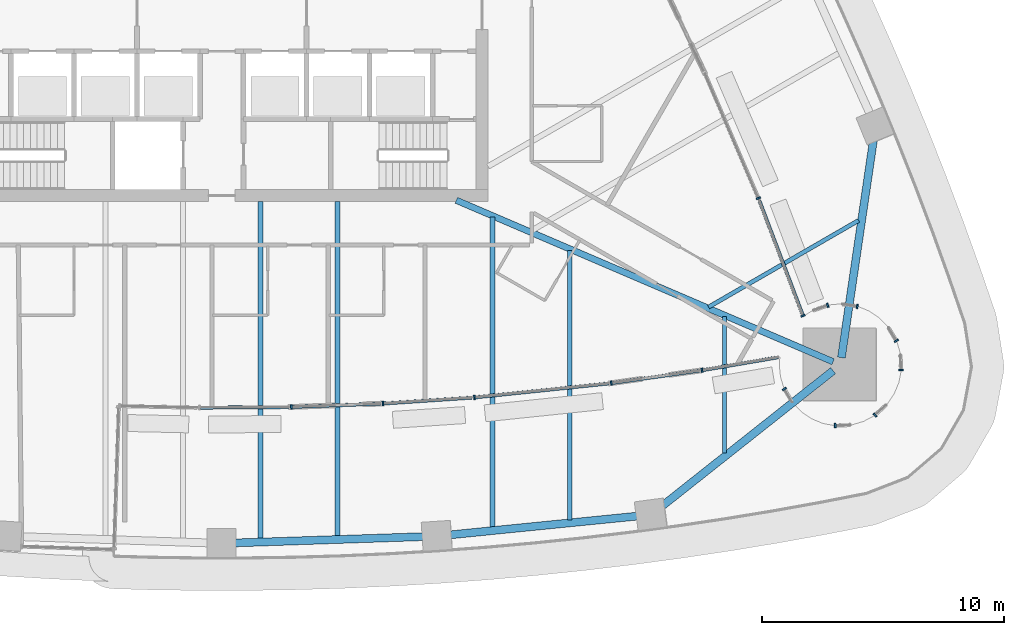
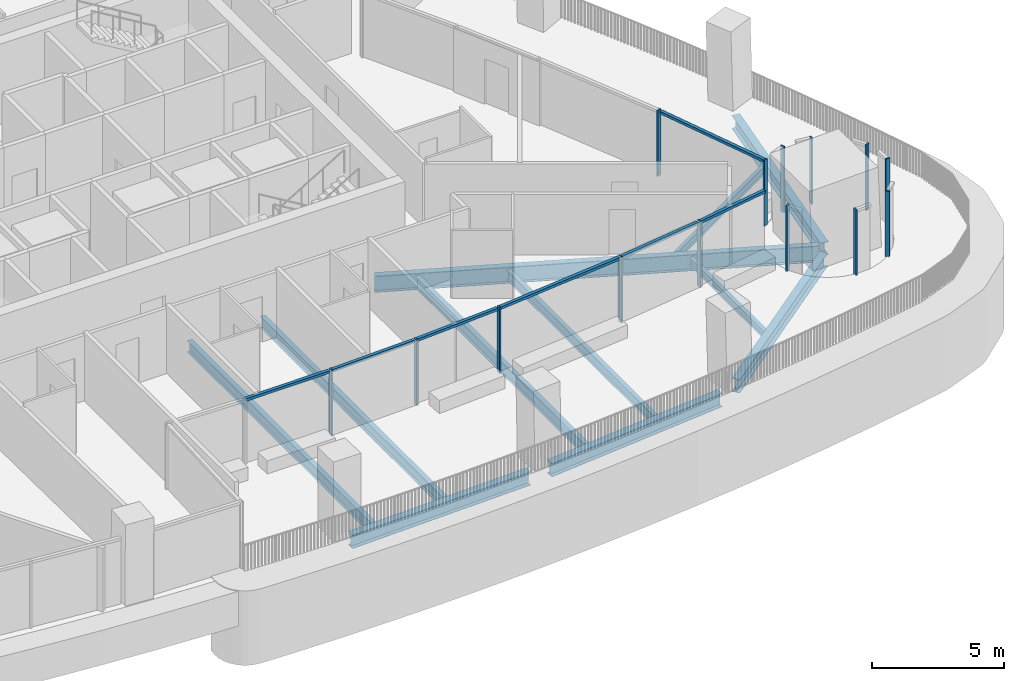
# One storey, part 4 of 22: 21 members, 11 beams, 15 elements without a shape of their own.
"""IFC4 building model written with IfcOpenShell, lengths in metres."""

import ifcopenshell
import ifcopenshell.guid

model = None  # the IFC model being written
_history = None  # IfcOwnerHistory: only IFC2X3 demands one
_inside = {}  # id of a spatial element -> (the spatial element, [elements in it])
_under = {}  # id of a project, library or spatial element -> (it, [spatial elements below it])
_declared = {}  # id of a project -> (the project, [libraries it declares])
_typed = {}  # id of a type object -> (the type object, [elements of that type])
_made_of = {}  # id of a material, layer set ... -> (it, [elements and type objects made of it])


def new_model(schema):
    """Start an empty IFC model of exactly this schema.

    Asked for "IFC4X3", IfcOpenShell would pick the latest addendum, in which some entities
    have other attributes; the version numbers below select the first issue.
    IFC2X3 requires an IfcOwnerHistory on every rooted entity: one is made here for all.
    """
    global model, _history
    if schema == "IFC4X3":
        model = ifcopenshell.file(schema_version=(4, 3, 0, 0))
    else:
        model = ifcopenshell.file(schema=schema)
    _inside.clear()
    _under.clear()
    _declared.clear()
    _typed.clear()
    _made_of.clear()
    _history = None
    if model.schema == "IFC2X3":
        org = make("IfcOrganization", Name="unknown")
        user = make(
            "IfcPersonAndOrganization",
            ThePerson=make("IfcPerson", FamilyName="unknown"),
            TheOrganization=org,
        )
        app = make(
            "IfcApplication",
            ApplicationDeveloper=org,
            Version="unknown",
            ApplicationFullName="unknown",
            ApplicationIdentifier="unknown",
        )
        _history = make(
            "IfcOwnerHistory",
            OwningUser=user,
            OwningApplication=app,
            ChangeAction="ADDED",
            CreationDate=0,
        )
    return model


def make(cls, **values):
    """One entity of the class cls with the attributes given. An attribute that is None is left unset."""
    return model.create_entity(
        cls, **{name: value for name, value in values.items() if value is not None}
    )


def rooted(cls, **values):
    """An entity with a GlobalId (a new one), such as an element, a storey or a relation."""
    return make(cls, GlobalId=ifcopenshell.guid.new(), OwnerHistory=_history, **values)


def si_unit(unit_type, name, prefix=None):
    """IfcSIUnit, for example si_unit("LENGTHUNIT", "METRE", prefix="MILLI")."""
    return make("IfcSIUnit", UnitType=unit_type, Prefix=prefix, Name=name)


def assignment(units):
    """IfcUnitAssignment: the units of a project."""
    return None if units is None else make("IfcUnitAssignment", Units=units)


def point(xyz):
    """IfcCartesianPoint."""
    return None if xyz is None else make("IfcCartesianPoint", Coordinates=xyz)


def direction(xyz):
    """IfcDirection."""
    return None if xyz is None else make("IfcDirection", DirectionRatios=xyz)


def frame(location, z_axis=None, x_axis=None):
    """IfcAxis2Placement3D, a coordinate frame: its origin and axes. An axis left out is left unset."""
    return make(
        "IfcAxis2Placement3D",
        Location=point(location),
        Axis=direction(z_axis),
        RefDirection=direction(x_axis),
    )


def frame_2d(location, x_axis=None):
    """IfcAxis2Placement2D, a coordinate frame in the plane: its origin and x axis."""
    return make(
        "IfcAxis2Placement2D", Location=point(location), RefDirection=direction(x_axis)
    )


def origin():
    """The frame at (0, 0, 0) with its axes left unset."""
    return frame((0.0, 0.0, 0.0))


def origin_2d():
    """The frame at (0, 0) in the plane with its x axis left unset."""
    return frame_2d((0.0, 0.0))


def place(relative_to, where):
    """IfcLocalPlacement: puts the frame where relative to a parent placement (None: the world)."""
    return make(
        "IfcLocalPlacement", PlacementRelTo=relative_to, RelativePlacement=where
    )


def context(
    kind, dimensions, precision=None, world=None, true_north=None, identifier=None
):
    """IfcGeometricRepresentationContext, for example the 3D "Model" context."""
    return make(
        "IfcGeometricRepresentationContext",
        ContextIdentifier=identifier,
        ContextType=kind,
        CoordinateSpaceDimension=dimensions,
        Precision=precision,
        WorldCoordinateSystem=world,
        TrueNorth=true_north,
    )


def subcontext(parent, identifier, kind, view, scale=None):
    """IfcGeometricRepresentationSubContext, for example "Body" below "Model"."""
    return make(
        "IfcGeometricRepresentationSubContext",
        ContextIdentifier=identifier,
        ContextType=kind,
        ParentContext=parent,
        TargetScale=scale,
        TargetView=view,
    )


def project(units=None, contexts=None):
    """IfcProject with its units and contexts."""
    return rooted(
        "IfcProject",
        Name="project",
        RepresentationContexts=contexts,
        UnitsInContext=assignment(units),
    )


def spatial(cls, under=None, at=None, **own):
    """A site, building, storey or space (cls), placed at a placement, below another one or the project."""
    s = rooted(cls, ObjectPlacement=at, **own)
    if under is not None:
        _under.setdefault(under.id(), (under, []))[1].append(s)
    return s


def profile(cls, at=None, kind="AREA", **sizes):
    """A parametric profile (cls). Its sizes go by their IFC names, for example OverallWidth=200.0."""
    return make(cls, ProfileType=kind, Position=at, **sizes)


def rectangle(**sizes):
    """IfcRectangleProfileDef."""
    return profile("IfcRectangleProfileDef", **sizes)


def i_section(**sizes):
    """IfcIShapeProfileDef."""
    return profile("IfcIShapeProfileDef", **sizes)


def extrude(swept, where, along, depth):
    """IfcExtrudedAreaSolid: the profile swept, set in the frame where, extruded along a direction by depth."""
    return make(
        "IfcExtrudedAreaSolid",
        SweptArea=swept,
        Position=where,
        ExtrudedDirection=direction(along),
        Depth=depth,
    )


def shape(context_of_items, identifier, shape_type, items):
    """IfcShapeRepresentation: the items that make up one representation, for example the "Body"."""
    return make(
        "IfcShapeRepresentation",
        ContextOfItems=context_of_items,
        RepresentationIdentifier=identifier,
        RepresentationType=shape_type,
        Items=items,
    )


def material(Name=None, Category=None):
    """IfcMaterial."""
    return make("IfcMaterial", Name=Name, Category=Category)


def layer(
    of_material, thickness, ventilated=None, Name=None, Category=None, Priority=None
):
    """IfcMaterialLayer: one layer of a wall or slab, of a material (None: an air gap)."""
    return make(
        "IfcMaterialLayer",
        Material=of_material,
        LayerThickness=thickness,
        IsVentilated=ventilated,
        Name=Name,
        Category=Category,
        Priority=Priority,
    )


def layer_set(layers, Name=None):
    """IfcMaterialLayerSet."""
    return make("IfcMaterialLayerSet", MaterialLayers=layers, LayerSetName=Name)


def material_profile(
    of_material, cross_section, Name=None, Category=None, Priority=None
):
    """IfcMaterialProfile: a cross section and its material."""
    return make(
        "IfcMaterialProfile",
        Name=Name,
        Material=of_material,
        Profile=cross_section,
        Priority=Priority,
        Category=Category,
    )


def profile_set(profiles, Name=None, composite=None):
    """IfcMaterialProfileSet."""
    return make(
        "IfcMaterialProfileSet",
        Name=Name,
        MaterialProfiles=profiles,
        CompositeProfile=composite,
    )


def made_of(thing, what):
    """Note that an element or type object is made of a material, layer set ...; save() writes the relation."""
    if what is not None:
        _made_of.setdefault(what.id(), (what, []))[1].append(thing)
    return thing


def type_object(cls, material=None, **own):
    """A type object (cls), such as IfcWallType, which elements share."""
    return made_of(rooted(cls, **own), material)


def element(
    cls,
    number,
    at=None,
    inside=None,
    cuts=None,
    type_object=None,
    material=None,
    context=None,
    identifier="Body",
    shape_type=None,
    held_by="IfcProductDefinitionShape",
    body=None,
    shapes=None,
    **own,
):
    """One element of the class cls, such as IfcWall. Its Tag is "e" and its number.

    at: its placement. inside: the storey or other place that contains it. cuts: it is an
    opening in that element (IfcRelVoidsElement). A single representation is given by context,
    identifier, shape_type and body (its items); several are given by shapes. held_by: the class
    of the entity that holds the representations. save() writes the other relations.
    """
    e = rooted(cls, Tag="e%d" % number, ObjectPlacement=at, **own)
    if body is not None:
        shapes = [shape(context, identifier, shape_type, body)]
    if shapes is not None:
        e.Representation = make(held_by, Representations=shapes)
    if inside is not None:
        _inside.setdefault(inside.id(), (inside, []))[1].append(e)
    if cuts is not None:
        rooted(
            "IfcRelVoidsElement", RelatingBuildingElement=cuts, RelatedOpeningElement=e
        )
    if type_object is not None:
        _typed.setdefault(type_object.id(), (type_object, []))[1].append(e)
    return made_of(e, material)


def aggregate(whole, parts):
    """IfcRelAggregates: a whole, such as a stair, and the parts it consists of."""
    return rooted("IfcRelAggregates", RelatingObject=whole, RelatedObjects=parts)


def save(model, path):
    """Write the relations noted so far, then the file.

    IfcRelAggregates (storeys below a building ...), IfcRelContainedInSpatialStructure (elements
    in a storey), IfcRelDefinesByType, IfcRelAssociatesMaterial and IfcRelDeclares: one each for
    every whole, place, type object, material and project.
    """
    for whole, parts in _under.values():
        aggregate(whole, parts)
    for where, things in _inside.values():
        rooted(
            "IfcRelContainedInSpatialStructure",
            RelatedElements=things,
            RelatingStructure=where,
        )
    for kind, things in _typed.values():
        rooted("IfcRelDefinesByType", RelatedObjects=things, RelatingType=kind)
    for what, things in _made_of.values():
        rooted("IfcRelAssociatesMaterial", RelatedObjects=things, RelatingMaterial=what)
    for by, libraries in _declared.values():
        rooted("IfcRelDeclares", RelatingContext=by, RelatedDefinitions=libraries)
    model.write(path)


model = new_model("IFC4")

# Units and contexts
model_context = context("Model", 3, precision=1e-05, world=origin(), true_north=direction((0.0, 1.0)))
body_context = subcontext(model_context, "Body", "Model", "MODEL_VIEW")
ifc_project = project(units=[si_unit("LENGTHUNIT", "METRE"), si_unit("AREAUNIT", "SQUARE_METRE"), si_unit("VOLUMEUNIT", "CUBIC_METRE"), si_unit("PLANEANGLEUNIT", "RADIAN"), si_unit("MASSUNIT", "GRAM", prefix="KILO")], contexts=[model_context])

# Site, building, storey
site_placement = place(None, origin())
site = spatial("IfcSite", under=ifc_project, at=site_placement, CompositionType="ELEMENT")
building_placement = place(site_placement, origin())
building = spatial("IfcBuilding", under=site, at=building_placement, Name="Sierra Prisma Convention Tower", CompositionType="ELEMENT")
storey_placement = place(building_placement, frame((0.0, 0.0, 103.5)))
storey = spatial("IfcBuildingStorey", under=building, at=storey_placement, Name="L22", CompositionType="ELEMENT", Elevation=103.5)

# Curtain wall, member
ifc_material_1 = material(Name="Aluminium and glass curtain wall", Category="aluminium")
ifc_layer = layer(ifc_material_1, 0.179931640625)
ifc_layer_set = layer_set([ifc_layer], Name="CW-6 Terrace recess curtain wall")
curtain_wall_type = type_object("IfcCurtainWallType", Name="CW-6 Terrace recess curtain wall", PredefinedType="NOTDEFINED", material=ifc_layer_set)
curtain_wall_1_placement = place(storey_placement, origin())
curtain_wall_1 = element("IfcCurtainWall", 1, at=curtain_wall_1_placement, inside=storey, type_object=curtain_wall_type, Name="CW-6 R3 L22", PredefinedType="NOTDEFINED")
ifc_material_2 = material(Name="Aluminium 6063-T6 bronze anodised", Category="aluminium")
ifc_material_profile_1 = material_profile(ifc_material_2, rectangle(XDim=0.179931640625, YDim=0.070068359375, at=origin_2d()), Name="ALU MULLION 70x180")
ifc_profile_set_1 = profile_set([ifc_material_profile_1], Name="Aluminium 6063-T6 bronze anodised")
member_type_1 = type_object("IfcMemberType", Name="CW mullion bronze", PredefinedType="MULLION", material=ifc_profile_set_1)
member_1_placement = place(storey_placement, frame((2.87451171875, -16.485595703125, 0.0), z_axis=(0.0, 0.0, 1.0), x_axis=(-0.037013409097, 0.999314769003, 0.0)))
member_1 = element("IfcMember", 2, at=member_1_placement, type_object=member_type_1, Name="CW-6 mullion R3.1", PredefinedType="MULLION", context=body_context, shape_type="SweptSolid", body=[
    extrude(rectangle(XDim=0.179931640625, YDim=0.070068359375, at=origin_2d()), origin(), (0.0, 0.0, 1.0), 3.0400390625),
])

curtain_wall_2_placement = place(storey_placement, origin())
curtain_wall_2 = element("IfcCurtainWall", 3, at=curtain_wall_2_placement, inside=storey, type_object=curtain_wall_type, Name="CW-6 R4 L22", PredefinedType="NOTDEFINED")
member_2_placement = place(storey_placement, frame((6.658447265625, -16.344482421875, 0.0), z_axis=(0.0, 0.0, 1.0), x_axis=(-0.066590047072, 0.997780419547, 0.0)))
member_2 = element("IfcMember", 4, at=member_2_placement, type_object=member_type_1, Name="CW-6 mullion R4.1", PredefinedType="MULLION", context=body_context, shape_type="SweptSolid", body=[
    extrude(rectangle(XDim=0.179931640625, YDim=0.070068359375, at=origin_2d()), origin(), (0.0, 0.0, 1.0), 3.0400390625),
])

curtain_wall_3_placement = place(storey_placement, origin())
curtain_wall_3 = element("IfcCurtainWall", 5, at=curtain_wall_3_placement, inside=storey, type_object=curtain_wall_type, Name="CW-6 R5 L22", PredefinedType="NOTDEFINED")
member_3_placement = place(storey_placement, frame((10.436279296875, -16.091064453125, 0.0), z_axis=(0.0, 0.0, 1.0), x_axis=(-0.103475672365, 0.994631984821, 0.0)))
member_3 = element("IfcMember", 6, at=member_3_placement, type_object=member_type_1, Name="CW-6 mullion R5.1", PredefinedType="MULLION", context=body_context, shape_type="SweptSolid", body=[
    extrude(rectangle(XDim=0.179931640625, YDim=0.070068359375, at=origin_2d()), origin(), (0.0, 0.0, 1.0), 3.0400390625),
])

curtain_wall_4_placement = place(storey_placement, origin())
curtain_wall_4 = element("IfcCurtainWall", 7, at=curtain_wall_4_placement, inside=storey, type_object=curtain_wall_type, Name="CW-6 R6 L22", PredefinedType="NOTDEFINED")
member_4_placement = place(storey_placement, frame((16.0849609375, -15.501953125, 0.0), z_axis=(0.0, 0.0, 1.0), x_axis=(-0.140219488164, 0.990120444764, 0.0)))
member_4 = element("IfcMember", 8, at=member_4_placement, type_object=member_type_1, Name="CW-6 mullion R6.1", PredefinedType="MULLION", context=body_context, shape_type="SweptSolid", body=[
    extrude(rectangle(XDim=0.179931640625, YDim=0.070068359375, at=origin_2d()), origin(), (0.0, 0.0, 1.0), 3.0400390625),
])

curtain_wall_5_placement = place(storey_placement, origin())
curtain_wall_5 = element("IfcCurtainWall", 9, at=curtain_wall_5_placement, inside=storey, type_object=curtain_wall_type, Name="CW-6 R7 L22", PredefinedType="NOTDEFINED")
member_5_placement = place(storey_placement, frame((19.833740234375, -14.97021484375, 0.0), z_axis=(0.0, 0.0, 1.0), x_axis=(-0.168396182613, 0.985719395001, 0.0)))
member_5 = element("IfcMember", 10, at=member_5_placement, type_object=member_type_1, Name="CW-6 mullion R7.1", PredefinedType="MULLION", context=body_context, shape_type="SweptSolid", body=[
    extrude(rectangle(XDim=0.179931640625, YDim=0.070068359375, at=origin_2d()), origin(), (0.0, 0.0, 1.0), 3.0400390625),
])

curtain_wall_6_placement = place(storey_placement, origin())
curtain_wall_6 = element("IfcCurtainWall", 11, at=curtain_wall_6_placement, inside=storey, type_object=curtain_wall_type, Name="CW-6 R11 L22", PredefinedType="NOTDEFINED")
member_6_placement = place(storey_placement, frame((23.235107421875, -15.744140625, 0.0), z_axis=(0.0, 0.0, 1.0), x_axis=(0.85772861, 0.514102744193, 0.0)))
member_6 = element("IfcMember", 12, at=member_6_placement, type_object=member_type_1, Name="CW-6 mullion R11.1", PredefinedType="MULLION", context=body_context, shape_type="SweptSolid", body=[
    extrude(rectangle(XDim=0.179931640625, YDim=0.070068359375, at=origin_2d()), origin(), (0.0, 0.0, 1.0), 3.0400390625),
])
aggregate(curtain_wall_6, [member_6])

curtain_wall_7_placement = place(storey_placement, origin())
curtain_wall_7 = element("IfcCurtainWall", 13, at=curtain_wall_7_placement, inside=storey, type_object=curtain_wall_type, Name="CW-6 R16 L22", PredefinedType="NOTDEFINED")
member_7_placement = place(storey_placement, frame((25.334228515625, -17.2568359375, 0.0), z_axis=(0.0, 0.0, 1.0), x_axis=(-0.049067674327, 0.998795456205, 0.0)))
member_7 = element("IfcMember", 14, at=member_7_placement, type_object=member_type_1, Name="CW-6 mullion R16.1", PredefinedType="MULLION", context=body_context, shape_type="SweptSolid", body=[
    extrude(rectangle(XDim=0.179931640625, YDim=0.070068359375, at=origin_2d()), origin(), (0.0, 0.0, 1.0), 3.0400390625),
])
aggregate(curtain_wall_7, [member_7])

curtain_wall_8_placement = place(storey_placement, origin())
curtain_wall_8 = element("IfcCurtainWall", 15, at=curtain_wall_8_placement, inside=storey, type_object=curtain_wall_type, Name="CW-6 R19 L22", PredefinedType="NOTDEFINED")
member_8_placement = place(storey_placement, frame((26.97314453125, -16.822265625, 0.0), z_axis=(0.0, 0.0, 1.0), x_axis=(-0.671558954847, 0.740951125355, 0.0)))
member_8 = element("IfcMember", 16, at=member_8_placement, type_object=member_type_1, Name="CW-6 mullion R19.1", PredefinedType="MULLION", context=body_context, shape_type="SweptSolid", body=[
    extrude(rectangle(XDim=0.179931640625, YDim=0.070068359375, at=origin_2d()), origin(), (0.0, 0.0, 1.0), 3.0400390625),
])
aggregate(curtain_wall_8, [member_8])

curtain_wall_9_placement = place(storey_placement, origin())
curtain_wall_9 = element("IfcCurtainWall", 17, at=curtain_wall_9_placement, inside=storey, type_object=curtain_wall_type, Name="CW-6 R23 L22", PredefinedType="NOTDEFINED")
member_9_placement = place(storey_placement, frame((28.053955078125, -14.96142578125, 0.0), z_axis=(0.0, 0.0, 1.0), x_axis=(-0.998795456205, -0.049067674327, 0.0)))
member_9 = element("IfcMember", 18, at=member_9_placement, type_object=member_type_1, Name="CW-6 mullion R23.1", PredefinedType="MULLION", context=body_context, shape_type="SweptSolid", body=[
    extrude(rectangle(XDim=0.179931640625, YDim=0.070068359375, at=origin_2d()), origin(), (0.0, 0.0, 1.0), 3.0400390625),
])
aggregate(curtain_wall_9, [member_9])

curtain_wall_10_placement = place(storey_placement, origin())
curtain_wall_10 = element("IfcCurtainWall", 19, at=curtain_wall_10_placement, inside=storey, type_object=curtain_wall_type, Name="CW-6 R25 L22", PredefinedType="NOTDEFINED")
member_10_placement = place(storey_placement, frame((27.85791015625, -13.75439453125, 0.0), z_axis=(0.0, 0.0, 1.0), x_axis=(-0.85772861, -0.514102744193, 0.0)))
member_10 = element("IfcMember", 20, at=member_10_placement, type_object=member_type_1, Name="CW-6 mullion R25.1", PredefinedType="MULLION", context=body_context, shape_type="SweptSolid", body=[
    extrude(rectangle(XDim=0.179931640625, YDim=0.070068359375, at=origin_2d()), origin(), (0.0, 0.0, 1.0), 3.0400390625),
])
aggregate(curtain_wall_10, [member_10])

curtain_wall_11_placement = place(storey_placement, origin())
curtain_wall_11 = element("IfcCurtainWall", 21, at=curtain_wall_11_placement, inside=storey, type_object=curtain_wall_type, Name="CW-6 R29 L22", PredefinedType="NOTDEFINED")
member_11_placement = place(storey_placement, frame((26.243896484375, -12.331298828125, 0.0), z_axis=(0.0, 0.0, 1.0), x_axis=(-0.146730474455, -0.989176509965, 0.0)))
member_11 = element("IfcMember", 22, at=member_11_placement, type_object=member_type_1, Name="CW-6 mullion R29.1", PredefinedType="MULLION", context=body_context, shape_type="SweptSolid", body=[
    extrude(rectangle(XDim=0.179931640625, YDim=0.070068359375, at=origin_2d()), origin(), (0.0, 0.0, 1.0), 3.0400390625),
])
aggregate(curtain_wall_11, [member_11])

curtain_wall_12_placement = place(storey_placement, origin())
curtain_wall_12 = element("IfcCurtainWall", 23, at=curtain_wall_12_placement, inside=storey, type_object=curtain_wall_type, Name="CW-6 R31 L22", PredefinedType="NOTDEFINED")
member_12_placement = place(storey_placement, frame((25.021728515625, -12.2880859375, 0.0), z_axis=(0.0, 0.0, 1.0), x_axis=(0.336889853392, -0.941544065183, 0.0)))
member_12 = element("IfcMember", 24, at=member_12_placement, type_object=member_type_1, Name="CW-6 mullion R31.1", PredefinedType="MULLION", context=body_context, shape_type="SweptSolid", body=[
    extrude(rectangle(XDim=0.179931640625, YDim=0.070068359375, at=origin_2d()), origin(), (0.0, 0.0, 1.0), 3.0400390625),
])
aggregate(curtain_wall_12, [member_12])

curtain_wall_13_placement = place(storey_placement, origin())
curtain_wall_13 = element("IfcCurtainWall", 25, at=curtain_wall_13_placement, inside=storey, type_object=curtain_wall_type, Name="CW-6 R33 L22", PredefinedType="NOTDEFINED")
member_13_placement = place(storey_placement, frame((24.0009765625, -12.71826171875, 0.0), z_axis=(0.0, 0.0, 1.0), x_axis=(-0.935155748602, -0.354236821711, 0.0)))
member_13 = element("IfcMember", 26, at=member_13_placement, type_object=member_type_1, Name="CW-6 mullion R33.1", PredefinedType="MULLION", context=body_context, shape_type="SweptSolid", body=[
    extrude(rectangle(XDim=0.179931640625, YDim=0.070068359375, at=origin_2d()), origin(), (0.0, 0.0, 1.0), 3.0400390625),
])

curtain_wall_14_placement = place(storey_placement, origin())
curtain_wall_14 = element("IfcCurtainWall", 27, at=curtain_wall_14_placement, inside=storey, type_object=curtain_wall_type, Name="CW-6 R34 L22", PredefinedType="NOTDEFINED")
member_14_placement = place(storey_placement, frame((22.1611328125, -7.864990234375, 0.0), z_axis=(0.0, 0.0, 1.0), x_axis=(-0.919051637753, -0.394137142557, 0.0)))
member_14 = element("IfcMember", 28, at=member_14_placement, type_object=member_type_1, Name="CW-6 mullion R34.1", PredefinedType="MULLION", context=body_context, shape_type="SweptSolid", body=[
    extrude(rectangle(XDim=0.179931640625, YDim=0.070068359375, at=origin_2d()), origin(), (0.0, 0.0, 1.0), 3.0400390625),
])
aggregate(curtain_wall_14, [member_14])

curtain_wall_15_placement = place(storey_placement, origin())
curtain_wall_15 = element("IfcCurtainWall", 29, at=curtain_wall_15_placement, inside=storey, type_object=curtain_wall_type, Name="CW-6 R2 L22", PredefinedType="NOTDEFINED")
ifc_material_3 = material(Name="Aluminium 6063-T6 bronze anodised", Category="aluminium")
ifc_material_profile_2 = material_profile(ifc_material_3, rectangle(XDim=0.139892578125, YDim=0.1201171875, at=origin_2d()), Name="ALU TRANSOM 120x140")
ifc_profile_set_2 = profile_set([ifc_material_profile_2], Name="Aluminium 6063-T6 bronze anodised")
member_type_2 = type_object("IfcMemberType", Name="CW transom bronze", PredefinedType="USERDEFINED", material=ifc_profile_set_2)
member_15_placement = place(storey_placement, frame((-0.876708984375, -16.514404296875, 2.97998046875), z_axis=(0.999972382299, 0.007432000967, 0.0), x_axis=(-0.007432000967, 0.999972382299, 0.0)))
member_15 = element("IfcMember", 30, at=member_15_placement, type_object=member_type_2, Name="CW-6 transom R2.1", ObjectType="TRANSOM", PredefinedType="USERDEFINED", context=body_context, shape_type="SweptSolid", body=[
    extrude(rectangle(XDim=0.139892578125, YDim=0.1201171875, at=origin_2d()), origin(), (0.0, 0.0, 1.0), 3.646240234375),
])
aggregate(curtain_wall_15, [member_15])

# Member
member_16_placement = place(storey_placement, frame((2.90966796875, -16.484375, 2.97998046875), z_axis=(0.999314283335, 0.037026519175, 0.0), x_axis=(-0.037026519175, 0.999314283335, 0.0)))
member_16 = element("IfcMember", 31, at=member_16_placement, type_object=member_type_2, Name="CW-6 transom R3.1", ObjectType="TRANSOM", PredefinedType="USERDEFINED", context=body_context, shape_type="SweptSolid", body=[
    extrude(rectangle(XDim=0.139892578125, YDim=0.1201171875, at=origin_2d()), origin(), (0.0, 0.0, 1.0), 3.646240234375),
])

aggregate(curtain_wall_1, [member_1, member_16])

member_17_placement = place(storey_placement, frame((6.693359375, -16.342041015625, 2.97998046875), z_axis=(0.997778338515, 0.06662122177, 0.0), x_axis=(-0.06662122177, 0.997778338515, 0.0)))
member_17 = element("IfcMember", 32, at=member_17_placement, type_object=member_type_2, Name="CW-6 transom R4.1", ObjectType="TRANSOM", PredefinedType="USERDEFINED", context=body_context, shape_type="SweptSolid", body=[
    extrude(rectangle(XDim=0.139892578125, YDim=0.1201171875, at=origin_2d()), origin(), (0.0, 0.0, 1.0), 3.646240234375),
])

aggregate(curtain_wall_2, [member_2, member_17])

member_18_placement = place(storey_placement, frame((10.470947265625, -16.08740234375, 2.97998046875), z_axis=(0.994630797154, 0.103487087859, 0.0), x_axis=(-0.103487087859, 0.994630797154, 0.0)))
member_18 = element("IfcMember", 33, at=member_18_placement, type_object=member_type_2, Name="CW-6 transom R5.1", ObjectType="TRANSOM", PredefinedType="USERDEFINED", context=body_context, shape_type="SweptSolid", body=[
    extrude(rectangle(XDim=0.139892578125, YDim=0.1201171875, at=origin_2d()), origin(), (0.0, 0.0, 1.0), 5.539306640625),
])

aggregate(curtain_wall_3, [member_3, member_18])

member_19_placement = place(storey_placement, frame((16.11962890625, -15.4970703125, 2.97998046875), z_axis=(0.990121509067, 0.140211972678, 0.0), x_axis=(-0.140211972678, 0.990121509067, 0.0)))
member_19 = element("IfcMember", 34, at=member_19_placement, type_object=member_type_2, Name="CW-6 transom R6.1", ObjectType="TRANSOM", PredefinedType="USERDEFINED", context=body_context, shape_type="SweptSolid", body=[
    extrude(rectangle(XDim=0.139892578125, YDim=0.1201171875, at=origin_2d()), origin(), (0.0, 0.0, 1.0), 3.646240234375),
])

aggregate(curtain_wall_4, [member_4, member_19])

member_20_placement = place(storey_placement, frame((19.8681640625, -14.964111328125, 2.97998046875), z_axis=(0.985729854431, 0.168334946117, 0.0), x_axis=(-0.168334946117, 0.985729854431, 0.0)))
member_20 = element("IfcMember", 35, at=member_20_placement, type_object=member_type_2, Name="CW-6 transom R7.1", ObjectType="TRANSOM", PredefinedType="USERDEFINED", context=body_context, shape_type="SweptSolid", body=[
    extrude(rectangle(XDim=0.139892578125, YDim=0.1201171875, at=origin_2d()), origin(), (0.0, 0.0, 1.0), 3.157470703125),
])

aggregate(curtain_wall_5, [member_5, member_20])

member_21_placement = place(storey_placement, frame((23.988525390625, -12.685546875, 2.97998046875), z_axis=(-0.354199519051, 0.935169877992, 0.0), x_axis=(-0.935169877992, -0.354199519051, 0.0)))
member_21 = element("IfcMember", 36, at=member_21_placement, type_object=member_type_2, Name="CW-6 transom R33.1", ObjectType="TRANSOM", PredefinedType="USERDEFINED", context=body_context, shape_type="SweptSolid", body=[
    extrude(rectangle(XDim=0.139892578125, YDim=0.1201171875, at=origin_2d()), origin(), (0.0, 0.0, 1.0), 5.05029296875),
])

aggregate(curtain_wall_13, [member_13, member_21])

# Beams
ifc_material_4 = material(Name="Steel ASTM A992 Gr 50", Category="steel")
ifc_material_profile_3 = material_profile(ifc_material_4, i_section(OverallWidth=0.172119140625, OverallDepth=0.35791015625, WebThickness=0.0078125, FlangeThickness=0.01318359375, at=origin_2d()), Name="W360x57")
ifc_profile_set_3 = profile_set([ifc_material_profile_3], Name="Steel ASTM A992 Gr 50")
beam_type_1 = type_object("IfcBeamType", Name="Floor joist W360x57", PredefinedType="JOIST", material=ifc_profile_set_3)
beam_1_placement = place(storey_placement, frame((20.756591796875, -18.38427734375, -0.47900390625), z_axis=(0.0, 1.0, 0.0), x_axis=(-1.0, 0.0, 0.0)))
element("IfcBeam", 37, at=beam_1_placement, inside=storey, type_object=beam_type_1, Name="Floor joist L22 S15", PredefinedType="JOIST", context=body_context, shape_type="SweptSolid", body=[
    extrude(i_section(OverallWidth=0.172119140625, OverallDepth=0.35791015625, WebThickness=0.0078125, FlangeThickness=0.01318359375, at=origin_2d()), origin(), (0.0, 0.0, 1.0), 5.63037109375),
])
beam_2_placement = place(storey_placement, frame((26.299560546875, -8.78369140625, -0.47900390625), z_axis=(-0.86603096638, -0.499990365178, 0.0), x_axis=(0.499990365178, -0.86603096638, 0.0)))
element("IfcBeam", 38, at=beam_2_placement, inside=storey, type_object=beam_type_1, Name="Floor joist L22 NE02", PredefinedType="JOIST", context=body_context, shape_type="SweptSolid", body=[
    extrude(i_section(OverallWidth=0.172119140625, OverallDepth=0.35791015625, WebThickness=0.0078125, FlangeThickness=0.01318359375, at=origin_2d()), origin(), (0.0, 0.0, 1.0), 7.152099609375),
])
ifc_material_5 = material(Name="Steel ASTM A992 Gr 50", Category="steel")
ifc_material_profile_4 = material_profile(ifc_material_5, i_section(OverallWidth=0.18994140625, OverallDepth=0.45703125, WebThickness=0.009033203125, FlangeThickness=0.014404296875, at=origin_2d()), Name="W460x74")
ifc_profile_set_4 = profile_set([ifc_material_profile_4], Name="Steel ASTM A992 Gr 50")
beam_type_2 = type_object("IfcBeamType", Name="Floor joist W460x74", PredefinedType="JOIST", material=ifc_profile_set_4)
beam_3_placement = place(storey_placement, frame((14.369873046875, -21.1591796875, -0.528564453125), z_axis=(0.0, 1.0, 0.0), x_axis=(-1.0, 0.0, 0.0)))
element("IfcBeam", 39, at=beam_3_placement, inside=storey, type_object=beam_type_2, Name="Floor joist L22 S13", PredefinedType="JOIST", context=body_context, shape_type="SweptSolid", body=[
    extrude(i_section(OverallWidth=0.18994140625, OverallDepth=0.45703125, WebThickness=0.009033203125, FlangeThickness=0.014404296875, at=origin_2d()), origin(), (0.0, 0.0, 1.0), 11.142822265625),
])
ifc_material_6 = material(Name="Steel ASTM A992 Gr 50", Category="steel")
ifc_material_profile_5 = material_profile(ifc_material_6, i_section(OverallWidth=0.208984375, OverallDepth=0.532958984375, WebThickness=0.01025390625, FlangeThickness=0.015625, at=origin_2d()), Name="W530x92")
ifc_profile_set_5 = profile_set([ifc_material_profile_5], Name="Steel ASTM A992 Gr 50")
beam_type_3 = type_object("IfcBeamType", Name="Floor joist W530x92", PredefinedType="JOIST", material=ifc_profile_set_5)
beam_4_placement = place(storey_placement, frame((1.5966796875, -21.952880859375, -0.56640625), z_axis=(0.0, 1.0, 0.0), x_axis=(-1.0, 0.0, 0.0)))
element("IfcBeam", 40, at=beam_4_placement, inside=storey, type_object=beam_type_3, Name="Floor joist L22 S09", PredefinedType="JOIST", context=body_context, shape_type="SweptSolid", body=[
    extrude(i_section(OverallWidth=0.208984375, OverallDepth=0.532958984375, WebThickness=0.01025390625, FlangeThickness=0.015625, at=origin_2d()), origin(), (0.0, 0.0, 1.0), 13.952880859375),
])
beam_5_placement = place(storey_placement, frame((4.7900390625, -21.846435546875, -0.56640625), z_axis=(0.0, 1.0, 0.0), x_axis=(-1.0, 0.0, 0.0)))
element("IfcBeam", 41, at=beam_5_placement, inside=storey, type_object=beam_type_3, Name="Floor joist L22 S10", PredefinedType="JOIST", context=body_context, shape_type="SweptSolid", body=[
    extrude(i_section(OverallWidth=0.208984375, OverallDepth=0.532958984375, WebThickness=0.01025390625, FlangeThickness=0.015625, at=origin_2d()), origin(), (0.0, 0.0, 1.0), 13.846435546875),
])
beam_6_placement = place(storey_placement, frame((11.176513671875, -21.4794921875, -0.56640625), z_axis=(0.0, 1.0, 0.0), x_axis=(-1.0, 0.0, 0.0)))
element("IfcBeam", 42, at=beam_6_placement, inside=storey, type_object=beam_type_3, Name="Floor joist L22 S12", PredefinedType="JOIST", context=body_context, shape_type="SweptSolid", body=[
    extrude(i_section(OverallWidth=0.208984375, OverallDepth=0.532958984375, WebThickness=0.01025390625, FlangeThickness=0.015625, at=origin_2d()), origin(), (0.0, 0.0, 1.0), 12.831787109375),
])
ifc_material_7 = material(Name="Steel ASTM A992 Gr 50", Category="steel")
ifc_material_profile_6 = material_profile(ifc_material_7, i_section(OverallWidth=0.264892578125, OverallDepth=0.7529296875, WebThickness=0.01318359375, FlangeThickness=0.01708984375, at=origin_2d()), Name="W760x147")
ifc_profile_set_6 = profile_set([ifc_material_profile_6], Name="Steel ASTM A992 Gr 50")
beam_type_4 = type_object("IfcBeamType", Name="Radial girder W760x147", PredefinedType="BEAM", material=ifc_profile_set_6)
beam_7_placement = place(storey_placement, frame((25.24658203125, -14.62060546875, -0.526611328125), z_axis=(-0.919129361542, 0.393955856349, 0.0), x_axis=(-0.393955856349, -0.919129361542, 0.0)))
element("IfcBeam", 43, at=beam_7_placement, inside=storey, type_object=beam_type_4, Name="Radial girder L22 SE", PredefinedType="BEAM", context=body_context, shape_type="SweptSolid", body=[
    extrude(i_section(OverallWidth=0.264892578125, OverallDepth=0.7529296875, WebThickness=0.01318359375, FlangeThickness=0.01708984375, at=origin_2d()), origin(), (0.0, 0.0, 1.0), 16.92578125),
])
ifc_material_8 = material(Name="Steel ASTM A992 Gr 50", Category="steel")
ifc_material_profile_7 = material_profile(ifc_material_8, i_section(OverallWidth=0.324951171875, OverallDepth=0.615966796875, WebThickness=0.013916015625, FlangeThickness=0.021484375, at=origin_2d()), Name="W610x174")
ifc_profile_set_7 = profile_set([ifc_material_profile_7], Name="Steel ASTM A992 Gr 50")
beam_type_5 = type_object("IfcBeamType", Name="Spandrel beam W610x174", PredefinedType="BEAM", material=ifc_profile_set_7)
beam_8_placement = place(storey_placement, frame((0.47998046875, -22.1025390625, -0.60791015625), z_axis=(0.999445111962, 0.033308680193, 0.0), x_axis=(-0.033308680193, 0.999445111962, 0.0)))
element("IfcBeam", 44, at=beam_8_placement, inside=storey, type_object=beam_type_5, Name="Spandrel L22-04", PredefinedType="BEAM", context=body_context, shape_type="SweptSolid", body=[
    extrude(i_section(OverallWidth=0.324951171875, OverallDepth=0.615966796875, WebThickness=0.013916015625, FlangeThickness=0.021484375, at=origin_2d()), origin(), (0.0, 0.0, 1.0), 7.9306640625),
])
beam_9_placement = place(storey_placement, frame((9.3642578125, -21.7744140625, -0.60791015625), z_axis=(0.995010025636, 0.099774991278, 0.0), x_axis=(-0.099774991278, 0.995010025636, 0.0)))
element("IfcBeam", 45, at=beam_9_placement, inside=storey, type_object=beam_type_5, Name="Spandrel L22-05", PredefinedType="BEAM", context=body_context, shape_type="SweptSolid", body=[
    extrude(i_section(OverallWidth=0.324951171875, OverallDepth=0.615966796875, WebThickness=0.013916015625, FlangeThickness=0.021484375, at=origin_2d()), origin(), (0.0, 0.0, 1.0), 7.930419921875),
])
beam_10_placement = place(storey_placement, frame((18.186279296875, -20.576416015625, -0.60791015625), z_axis=(0.784035379073, 0.620716138313, 0.0), x_axis=(-0.620716138313, 0.784035379073, 0.0)))
element("IfcBeam", 46, at=beam_10_placement, inside=storey, type_object=beam_type_5, Name="Spandrel L22-06", PredefinedType="BEAM", context=body_context, shape_type="SweptSolid", body=[
    extrude(i_section(OverallWidth=0.324951171875, OverallDepth=0.615966796875, WebThickness=0.013916015625, FlangeThickness=0.021484375, at=origin_2d()), origin(), (0.0, 0.0, 1.0), 9.005126953125),
])
beam_11_placement = place(storey_placement, frame((25.590576171875, -14.44921875, -0.60791015625), z_axis=(0.145555113254, 0.989350144795, 0.0), x_axis=(-0.989350144795, 0.145555113254, 0.0)))
element("IfcBeam", 47, at=beam_11_placement, inside=storey, type_object=beam_type_5, Name="Spandrel L22-07", PredefinedType="BEAM", context=body_context, shape_type="SweptSolid", body=[
    extrude(i_section(OverallWidth=0.324951171875, OverallDepth=0.615966796875, WebThickness=0.013916015625, FlangeThickness=0.021484375, at=origin_2d()), origin(), (0.0, 0.0, 1.0), 9.084228515625),
])

save(model, "model.ifc")
